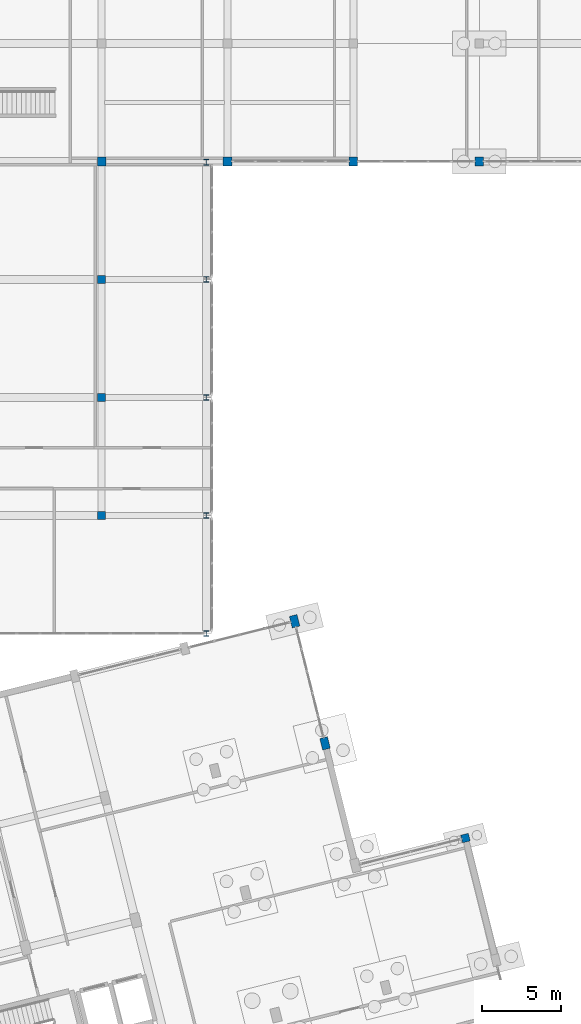
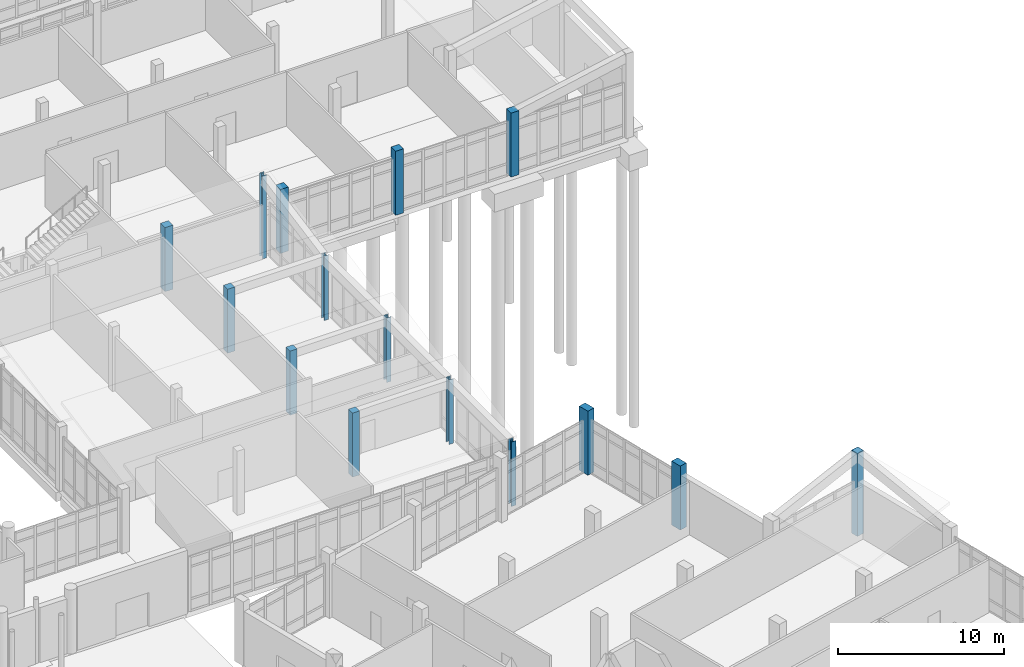
# One storey, part 21 of 173: 15 columns.
"""IFC4 building model written with IfcOpenShell, lengths in metres."""

from ifc_helpers import new_model, si_unit, direction, frame, origin, origin_2d, place, context, subcontext, project, spatial, rectangle, i_section, extrude, material, material_profile, profile_set, type_object, element, save


model = new_model("IFC4")

# Units and contexts
model_context = context("Model", 3, precision=1e-05, world=origin(), true_north=direction((0.0, 1.0)))
body_context = subcontext(model_context, "Body", "Model", "MODEL_VIEW")
ifc_project = project(units=[si_unit("LENGTHUNIT", "METRE"), si_unit("AREAUNIT", "SQUARE_METRE"), si_unit("VOLUMEUNIT", "CUBIC_METRE"), si_unit("PLANEANGLEUNIT", "RADIAN"), si_unit("MASSUNIT", "GRAM", prefix="KILO")], contexts=[model_context])

# Site, building, storey
site_placement = place(None, origin())
site = spatial("IfcSite", under=ifc_project, at=site_placement, CompositionType="ELEMENT")
building_placement = place(site_placement, origin())
building = spatial("IfcBuilding", under=site, at=building_placement, Name="Mawjan Specialist Oncology Clinic", CompositionType="ELEMENT")
storey_placement = place(building_placement, origin())
storey = spatial("IfcBuildingStorey", under=building, at=storey_placement, Name="L00", CompositionType="ELEMENT", Elevation=0.0)

# Columns
ifc_material_1 = material(Name="Concrete C45/55", Category="concrete")
ifc_material_profile_1 = material_profile(ifc_material_1, rectangle(XDim=0.5, YDim=0.5, at=origin_2d()), Name="RC COL 500x500", Category="concrete")
ifc_profile_set_1 = profile_set([ifc_material_profile_1], Name="Concrete C45/55")
column_type_1 = type_object("IfcColumnType", Name="C-500", PredefinedType="COLUMN", material=ifc_profile_set_1)
for number, where, z_axis, x_axis, name in (
    (1, (132.0, 53.300048828125, 0.0), (0.0, 0.0, 1.0), (1.0, 0.0, 0.0), "L00 Column G-22-H"),
    (2, (132.0, 60.800048828125, 0.0), (0.0, 0.0, 1.0), (1.0, 0.0, 0.0), "L00 Column G-22-J"),
    (3, (132.0, 68.300048828125, 0.0), (0.0, 0.0, 1.0), (1.0, 0.0, 0.0), "L00 Column G-22-K"),
):
    element("IfcColumn", number, at=place(storey_placement, frame(where, z_axis=z_axis, x_axis=x_axis)), inside=storey, type_object=column_type_1, Name=name, PredefinedType="COLUMN", context=body_context, shape_type="SweptSolid", body=[
        extrude(rectangle(XDim=0.5, YDim=0.5, at=origin_2d()), origin(), (0.0, 0.0, 1.0), 4.7041015625),
    ])
column_1_placement = place(storey_placement, frame((155.12451171875, 32.79638671875, 0.0), z_axis=(0.0, 0.0, 1.0), x_axis=(0.970295726276, 0.2419218956, 0.0)))
element("IfcColumn", 4, at=column_1_placement, inside=storey, type_object=column_type_1, Name="L00 Column R-RF-R4", PredefinedType="COLUMN", context=body_context, shape_type="SweptSolid", body=[
    extrude(rectangle(XDim=0.5, YDim=0.5, at=origin_2d()), origin(), (0.0, 0.0, 1.0), 6.095947265625),
])
ifc_material_2 = material(Name="Concrete C45/55", Category="concrete")
ifc_material_profile_2 = material_profile(ifc_material_2, rectangle(XDim=0.5, YDim=0.75, at=origin_2d()), Name="RC COL 500x750", Category="concrete")
ifc_profile_set_2 = profile_set([ifc_material_profile_2], Name="Concrete C45/55")
column_type_2 = type_object("IfcColumnType", Name="C-500x750", PredefinedType="COLUMN", material=ifc_profile_set_2)
for number, where, z_axis, x_axis, name in (
    (5, (146.203125, 38.81689453125, 0.0), (0.0, 0.0, 1.0), (0.970295726276, 0.2419218956, 0.0), "L00 Column R-RE-R5"),
    (6, (144.267578125, 46.5791015625, 0.0), (0.0, 0.0, 1.0), (0.970295726276, 0.2419218956, 0.0), "L00 Column R-RE-R6"),
):
    element("IfcColumn", number, at=place(storey_placement, frame(where, z_axis=z_axis, x_axis=x_axis)), inside=storey, type_object=column_type_2, Name=name, PredefinedType="COLUMN", context=body_context, shape_type="SweptSolid", body=[
        extrude(rectangle(XDim=0.5, YDim=0.75, at=origin_2d()), origin(), (0.0, 0.0, 1.0), 4.699951171875),
    ])
ifc_material_3 = material(Name="Concrete C45/55", Category="concrete")
ifc_material_profile_3 = material_profile(ifc_material_3, rectangle(XDim=0.550048828125, YDim=0.550048828125, at=origin_2d()), Name="RC COL 550x550", Category="concrete")
ifc_profile_set_3 = profile_set([ifc_material_profile_3], Name="Concrete C45/55")
column_type_3 = type_object("IfcColumnType", Name="C-550", PredefinedType="COLUMN", material=ifc_profile_set_3)
for number, where, z_axis, x_axis, name in (
    (7, (132.0, 75.800048828125, 0.0), (0.0, 0.0, 1.0), (1.0, 0.0, 0.0), "L00 Column G-22-L"),
    (8, (140.0, 75.800048828125, 0.0), (0.0, 0.0, 1.0), (1.0, 0.0, 0.0), "L00 Column G-23-L"),
    (9, (148.0, 75.800048828125, 0.0), (0.0, 0.0, 1.0), (1.0, 0.0, 0.0), "L00 Column G-24-L"),
    (10, (156.0, 75.800048828125, 0.0), (0.0, 0.0, 1.0), (1.0, 0.0, 0.0), "L00 Column G-25-L"),
):
    element("IfcColumn", number, at=place(storey_placement, frame(where, z_axis=z_axis, x_axis=x_axis)), inside=storey, type_object=column_type_3, Name=name, PredefinedType="COLUMN", context=body_context, shape_type="SweptSolid", body=[
        extrude(rectangle(XDim=0.550048828125, YDim=0.550048828125, at=origin_2d()), origin(), (0.0, 0.0, 1.0), 4.699951171875),
    ])
ifc_material_4 = material(Name="Structural steel S355", Category="steel")
ifc_material_profile_4 = material_profile(ifc_material_4, i_section(OverallWidth=0.300048828125, OverallDepth=0.360107421875, WebThickness=0.012451171875, FlangeThickness=0.0224609375, FilletRadius=0.027099609375, at=origin_2d()), Name="HEB 360", Category="steel")
ifc_profile_set_4 = profile_set([ifc_material_profile_4], Name="Structural steel S355")
column_type_4 = type_object("IfcColumnType", Name="SC-HEB360", PredefinedType="COLUMN", material=ifc_profile_set_4)
column_2_placement = place(storey_placement, frame((138.64990234375, 45.800048828125, 0.0), z_axis=(0.0, 0.0, 1.0), x_axis=(1.0, 0.0, 0.0)))
element("IfcColumn", 11, at=column_2_placement, inside=storey, type_object=column_type_4, Name="L00 Link East Column 1", PredefinedType="COLUMN", context=body_context, shape_type="SweptSolid", body=[
    extrude(i_section(OverallWidth=0.300048828125, OverallDepth=0.360107421875, WebThickness=0.012451171875, FlangeThickness=0.0224609375, FilletRadius=0.027099609375, at=origin_2d()), origin(), (0.0, 0.0, 1.0), 4.734619140625),
])
for number, where, z_axis, x_axis, name in (
    (12, (138.64990234375, 53.300048828125, 0.0), (0.0, 0.0, 1.0), (1.0, 0.0, 0.0), "L00 Link East Column 2"),
    (13, (138.64990234375, 60.800048828125, 0.0), (0.0, 0.0, 1.0), (1.0, 0.0, 0.0), "L00 Link East Column 3"),
):
    element("IfcColumn", number, at=place(storey_placement, frame(where, z_axis=z_axis, x_axis=x_axis)), inside=storey, type_object=column_type_4, Name=name, PredefinedType="COLUMN", context=body_context, shape_type="SweptSolid", body=[
        extrude(i_section(OverallWidth=0.300048828125, OverallDepth=0.360107421875, WebThickness=0.012451171875, FlangeThickness=0.0224609375, FilletRadius=0.027099609375, at=origin_2d()), origin(), (0.0, 0.0, 1.0), 4.732666015625),
    ])
column_3_placement = place(storey_placement, frame((138.64990234375, 68.300048828125, 0.0), z_axis=(0.0, 0.0, 1.0), x_axis=(1.0, 0.0, 0.0)))
element("IfcColumn", 14, at=column_3_placement, inside=storey, type_object=column_type_4, Name="L00 Link East Column 4", PredefinedType="COLUMN", context=body_context, shape_type="SweptSolid", body=[
    extrude(i_section(OverallWidth=0.300048828125, OverallDepth=0.360107421875, WebThickness=0.012451171875, FlangeThickness=0.0224609375, FilletRadius=0.027099609375, at=origin_2d()), origin(), (0.0, 0.0, 1.0), 4.73291015625),
])
column_4_placement = place(storey_placement, frame((138.64990234375, 75.75, 0.0), z_axis=(0.0, 0.0, 1.0), x_axis=(1.0, 0.0, 0.0)))
element("IfcColumn", 15, at=column_4_placement, inside=storey, type_object=column_type_4, Name="L00 Link East Column 5", PredefinedType="COLUMN", context=body_context, shape_type="SweptSolid", body=[
    extrude(i_section(OverallWidth=0.300048828125, OverallDepth=0.360107421875, WebThickness=0.012451171875, FlangeThickness=0.0224609375, FilletRadius=0.027099609375, at=origin_2d()), origin(), (0.0, 0.0, 1.0), 6.1015625),
])

save(model, "model.ifc")
